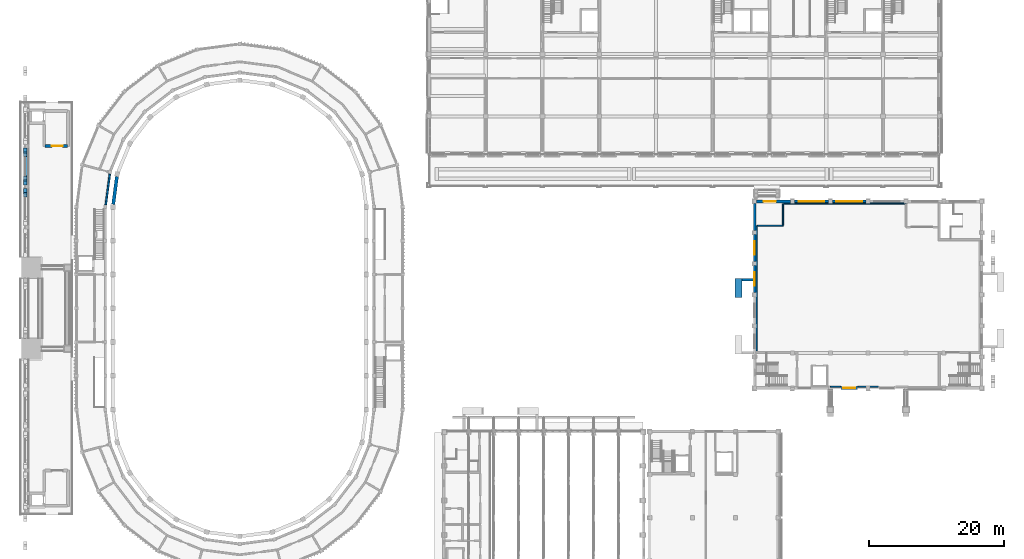
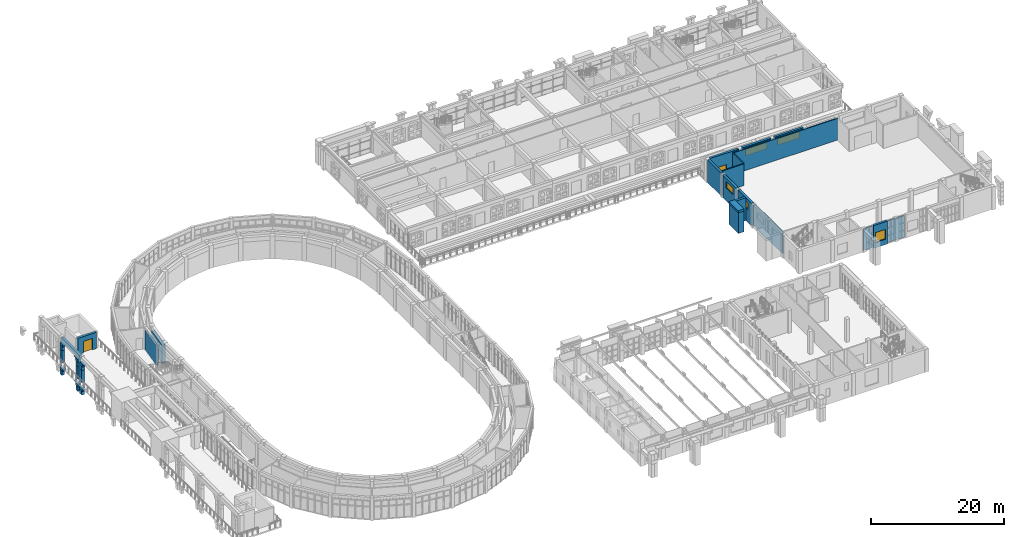
# One storey, part 61 of 99: 41 walls, 5 windows, 2 doors, 7 openings.
"""IFC4 building model written with IfcOpenShell, lengths in metres."""

from ifc_helpers import new_model, si_unit, direction, frame, frame_2d, origin, place, context, subcontext, project, spatial, rectangle, extrude, material, layer, layer_set, type_object, element, fill, save


model = new_model("IFC4")

# Units and contexts
model_context = context("Model", 3, precision=1e-05, world=origin(), true_north=direction((0.0, 1.0)))
body_context = subcontext(model_context, "Body", "Model", "MODEL_VIEW")
ifc_project = project(units=[si_unit("LENGTHUNIT", "METRE"), si_unit("AREAUNIT", "SQUARE_METRE"), si_unit("VOLUMEUNIT", "CUBIC_METRE"), si_unit("PLANEANGLEUNIT", "RADIAN"), si_unit("MASSUNIT", "GRAM", prefix="KILO")], contexts=[model_context])

# Site, building, storey
site_placement = place(None, origin())
site = spatial("IfcSite", under=ifc_project, at=site_placement, CompositionType="ELEMENT")
building_placement = place(site_placement, origin())
building = spatial("IfcBuilding", under=site, at=building_placement, Name="Wasatch Bagh Community Centre", CompositionType="ELEMENT")
storey_placement = place(building_placement, frame((0.0, 0.0, 4.199951171875)))
storey = spatial("IfcBuildingStorey", under=building, at=storey_placement, Name="L01", CompositionType="ELEMENT", Elevation=4.199951171875)

# Wall
ifc_material_1 = material(Name="Concrete C40", Category="concrete")
ifc_layer_1 = layer(ifc_material_1, 0.39990234375)
ifc_layer_set_1 = layer_set([ifc_layer_1], Name="Concrete C40")
wall_type_1 = type_object("IfcWallType", Name="CT-W1", PredefinedType="STANDARD", material=ifc_layer_set_1)
wall_1_placement = place(storey_placement, frame((4.5, 68.25, 3.550048828125), z_axis=(0.0, 0.0, 1.0), x_axis=(0.0, 1.0, 0.0)))
element("IfcWall", 1, at=wall_1_placement, inside=storey, type_object=wall_type_1, Name="CT-W1 terrace arcade spandrel band 5", PredefinedType="STANDARD", context=body_context, shape_type="SweptSolid", body=[
    extrude(rectangle(XDim=5.5, YDim=0.39990234375, at=frame_2d((2.75, 0.0))), origin(), (0.0, 0.0, 1.0), 0.64990234375),
])

# Wall, opening, door
ifc_layer_2 = layer(ifc_material_1, 0.39990234375)
ifc_layer_set_2 = layer_set([ifc_layer_2], Name="Concrete C40")
wall_type_2 = type_object("IfcWallType", Name="CT-W2", PredefinedType="SHEAR", material=ifc_layer_set_2)
wall_2_placement = place(storey_placement, frame((7.199951171875, 74.0, 0.0), z_axis=(0.0, 0.0, 1.0), x_axis=(1.0, 0.0, 0.0)))
wall_2 = element("IfcWall", 2, at=wall_2_placement, inside=storey, type_object=wall_type_2, Name="Terrace lobby N wall N", PredefinedType="SHEAR", context=body_context, shape_type="SweptSolid", body=[
    extrude(rectangle(XDim=3.300048828125, YDim=0.39990234375, at=frame_2d((1.64990234375, 0.0))), origin(), (0.0, 0.0, 1.0), 3.0),
])
opening_1_placement = place(wall_2_placement, frame((1.0, 0.0, 0.0)))
opening_1 = element("IfcOpeningElement", 3, at=opening_1_placement, cuts=wall_2, Name="Opening 1C-02", PredefinedType="OPENING", context=body_context, shape_type="SweptSolid", body=[
    extrude(rectangle(XDim=1.60009765625, YDim=2.10009765625, at=frame_2d((0.800048828125, 1.050048828125))), frame((0.0, 0.2099609375, 0.0), z_axis=(0.0, -1.0, 0.0), x_axis=(1.0, 0.0, 0.0)), (0.0, 0.0, 1.0), 0.419921875),
])
ifc_material_2 = material(Name="Timber door leaf in steel frame", Category="steel")
door_type_1 = type_object("IfcDoorType", Name="CT-D3", OperationType="DOUBLE_DOOR_SINGLE_SWING", PredefinedType="DOOR", material=ifc_material_2)
door_1_placement = place(opening_1_placement, origin())
door_1 = element("IfcDoor", 4, at=door_1_placement, inside=storey, type_object=door_type_1, Name="Terrace lobby N door", OperationType="SINGLE_SWING_LEFT", OverallHeight=2.10009765625, OverallWidth=1.60009765625, PredefinedType="DOOR", context=body_context, shape_type="SweptSolid", body=[
    extrude(rectangle(XDim=1.60009765625, YDim=2.10009765625, at=frame_2d((0.800048828125, 1.050048828125))), frame((0.0, 0.02490234375, 0.0), z_axis=(0.0, -1.0, 0.0), x_axis=(1.0, 0.0, 0.0)), (0.0, 0.0, 1.0), 0.050048828125),
])
fill(opening_1, door_1)

# Walls
ifc_layer_3 = layer(ifc_material_1, 0.449951171875)
ifc_layer_set_3 = layer_set([ifc_layer_3], Name="Concrete C40")
wall_type_3 = type_object("IfcWallType", Name="CT-W6", PredefinedType="STANDARD", material=ifc_layer_set_3)
wall_3_placement = place(storey_placement, frame((4.27490234375, 67.75, -2.300048828125), z_axis=(0.0, 0.0, 1.0), x_axis=(0.0, -1.0, 0.0)))
element("IfcWall", 5, at=wall_3_placement, inside=storey, type_object=wall_type_3, Name="CT-W6 colonnade arch spandrel", PredefinedType="STANDARD", context=body_context, shape_type="SweptSolid", body=[
    extrude(rectangle(XDim=0.60009765625, YDim=0.449951171875, at=frame_2d((0.300048828125, 0.0))), origin(), (0.0, 0.0, 1.0), 0.800048828125),
])
wall_4_placement = place(storey_placement, frame((4.27490234375, 67.75, -1.5), z_axis=(0.0, 0.0, 1.0), x_axis=(0.0, -1.0, 0.0)))
element("IfcWall", 6, at=wall_4_placement, inside=storey, type_object=wall_type_3, Name="CT-W6 colonnade arch spandrel", PredefinedType="STANDARD", context=body_context, shape_type="SweptSolid", body=[
    extrude(rectangle(XDim=0.831298828125, YDim=0.449951171875, at=frame_2d((0.41552734375, 0.0))), origin(), (0.0, 0.0, 1.0), 0.449951171875),
])
wall_5_placement = place(storey_placement, frame((4.27490234375, 67.75, -1.050048828125), z_axis=(0.0, 0.0, 1.0), x_axis=(0.0, -1.0, 0.0)))
element("IfcWall", 7, at=wall_5_placement, inside=storey, type_object=wall_type_3, Name="CT-W6 colonnade arch spandrel", PredefinedType="STANDARD", context=body_context, shape_type="SweptSolid", body=[
    extrude(rectangle(XDim=1.271728515625, YDim=0.449951171875, at=frame_2d((0.6357421875, 0.0))), origin(), (0.0, 0.0, 1.0), 0.10009765625),
])
for number, where, z_axis, x_axis, name in (
    (8, (4.27490234375, 68.25, -2.300048828125), (0.0, 0.0, 1.0), (0.0, 1.0, 0.0), "CT-W6 colonnade arch spandrel"),
    (9, (4.27490234375, 73.75, -2.300048828125), (0.0, 0.0, 1.0), (0.0, -1.0, 0.0), "CT-W6 colonnade arch spandrel"),
):
    element("IfcWall", number, at=place(storey_placement, frame(where, z_axis=z_axis, x_axis=x_axis)), inside=storey, type_object=wall_type_3, Name=name, PredefinedType="STANDARD", context=body_context, shape_type="SweptSolid", body=[
        extrude(rectangle(XDim=0.60009765625, YDim=0.449951171875, at=frame_2d((0.300048828125, 0.0))), origin(), (0.0, 0.0, 1.0), 0.800048828125),
    ])
for number, where, z_axis, x_axis, name in (
    (10, (4.27490234375, 68.25, -1.5), (0.0, 0.0, 1.0), (0.0, 1.0, 0.0), "CT-W6 colonnade arch spandrel"),
    (11, (4.27490234375, 73.75, -1.5), (0.0, 0.0, 1.0), (0.0, -1.0, 0.0), "CT-W6 colonnade arch spandrel"),
):
    element("IfcWall", number, at=place(storey_placement, frame(where, z_axis=z_axis, x_axis=x_axis)), inside=storey, type_object=wall_type_3, Name=name, PredefinedType="STANDARD", context=body_context, shape_type="SweptSolid", body=[
        extrude(rectangle(XDim=0.831298828125, YDim=0.449951171875, at=frame_2d((0.41552734375, 0.0))), origin(), (0.0, 0.0, 1.0), 0.449951171875),
    ])
for number, where, z_axis, x_axis, name in (
    (12, (4.27490234375, 68.25, -1.050048828125), (0.0, 0.0, 1.0), (0.0, 1.0, 0.0), "CT-W6 colonnade arch spandrel"),
    (13, (4.27490234375, 73.75, -1.050048828125), (0.0, 0.0, 1.0), (0.0, -1.0, 0.0), "CT-W6 colonnade arch spandrel"),
):
    element("IfcWall", number, at=place(storey_placement, frame(where, z_axis=z_axis, x_axis=x_axis)), inside=storey, type_object=wall_type_3, Name=name, PredefinedType="STANDARD", context=body_context, shape_type="SweptSolid", body=[
        extrude(rectangle(XDim=1.271728515625, YDim=0.449951171875, at=frame_2d((0.6357421875, 0.0))), origin(), (0.0, 0.0, 1.0), 0.10009765625),
    ])
wall_6_placement = place(storey_placement, frame((4.27490234375, 67.75, 0.0), z_axis=(0.0, 0.0, 1.0), x_axis=(0.0, -1.0, 0.0)))
element("IfcWall", 14, at=wall_6_placement, inside=storey, type_object=wall_type_3, Name="CT-W6 colonnade pier panel", PredefinedType="STANDARD", context=body_context, shape_type="SweptSolid", body=[
    extrude(rectangle(XDim=0.60009765625, YDim=0.449951171875, at=frame_2d((0.300048828125, 0.0))), origin(), (0.0, 0.0, 1.0), 2.199951171875),
])
wall_7_placement = place(storey_placement, frame((4.27490234375, 67.75, 2.199951171875), z_axis=(0.0, 0.0, 1.0), x_axis=(0.0, -1.0, 0.0)))
element("IfcWall", 15, at=wall_7_placement, inside=storey, type_object=wall_type_3, Name="CT-W6 colonnade arch spandrel", PredefinedType="STANDARD", context=body_context, shape_type="SweptSolid", body=[
    extrude(rectangle(XDim=0.60009765625, YDim=0.449951171875, at=frame_2d((0.300048828125, 0.0))), origin(), (0.0, 0.0, 1.0), 0.800048828125),
])
wall_8_placement = place(storey_placement, frame((4.27490234375, 67.75, 3.0), z_axis=(0.0, 0.0, 1.0), x_axis=(0.0, -1.0, 0.0)))
element("IfcWall", 16, at=wall_8_placement, inside=storey, type_object=wall_type_3, Name="CT-W6 colonnade arch spandrel", PredefinedType="STANDARD", context=body_context, shape_type="SweptSolid", body=[
    extrude(rectangle(XDim=0.837158203125, YDim=0.449951171875, at=frame_2d((0.41845703125, 0.0))), origin(), (0.0, 0.0, 1.0), 0.449951171875),
])
wall_9_placement = place(storey_placement, frame((4.27490234375, 67.75, 3.449951171875), z_axis=(0.0, 0.0, 1.0), x_axis=(0.0, -1.0, 0.0)))
element("IfcWall", 17, at=wall_9_placement, inside=storey, type_object=wall_type_3, Name="CT-W6 colonnade arch spandrel", PredefinedType="STANDARD", context=body_context, shape_type="SweptSolid", body=[
    extrude(rectangle(XDim=1.29833984375, YDim=0.449951171875, at=frame_2d((0.649169921875, 0.0))), origin(), (0.0, 0.0, 1.0), 0.050048828125),
])
for number, where, z_axis, x_axis, name in (
    (18, (4.27490234375, 68.25, 0.0), (0.0, 0.0, 1.0), (0.0, 1.0, 0.0), "CT-W6 colonnade pier panel"),
    (19, (4.27490234375, 73.75, 0.0), (0.0, 0.0, 1.0), (0.0, -1.0, 0.0), "CT-W6 colonnade pier panel"),
):
    element("IfcWall", number, at=place(storey_placement, frame(where, z_axis=z_axis, x_axis=x_axis)), inside=storey, type_object=wall_type_3, Name=name, PredefinedType="STANDARD", context=body_context, shape_type="SweptSolid", body=[
        extrude(rectangle(XDim=0.60009765625, YDim=0.449951171875, at=frame_2d((0.300048828125, 0.0))), origin(), (0.0, 0.0, 1.0), 2.199951171875),
    ])
for number, where, z_axis, x_axis, name in (
    (20, (4.27490234375, 68.25, 2.199951171875), (0.0, 0.0, 1.0), (0.0, 1.0, 0.0), "CT-W6 colonnade arch spandrel"),
    (21, (4.27490234375, 73.75, 2.199951171875), (0.0, 0.0, 1.0), (0.0, -1.0, 0.0), "CT-W6 colonnade arch spandrel"),
):
    element("IfcWall", number, at=place(storey_placement, frame(where, z_axis=z_axis, x_axis=x_axis)), inside=storey, type_object=wall_type_3, Name=name, PredefinedType="STANDARD", context=body_context, shape_type="SweptSolid", body=[
        extrude(rectangle(XDim=0.60009765625, YDim=0.449951171875, at=frame_2d((0.300048828125, 0.0))), origin(), (0.0, 0.0, 1.0), 0.800048828125),
    ])
for number, where, z_axis, x_axis, name in (
    (22, (4.27490234375, 68.25, 3.0), (0.0, 0.0, 1.0), (0.0, 1.0, 0.0), "CT-W6 colonnade arch spandrel"),
    (23, (4.27490234375, 73.75, 3.0), (0.0, 0.0, 1.0), (0.0, -1.0, 0.0), "CT-W6 colonnade arch spandrel"),
):
    element("IfcWall", number, at=place(storey_placement, frame(where, z_axis=z_axis, x_axis=x_axis)), inside=storey, type_object=wall_type_3, Name=name, PredefinedType="STANDARD", context=body_context, shape_type="SweptSolid", body=[
        extrude(rectangle(XDim=0.837158203125, YDim=0.449951171875, at=frame_2d((0.41845703125, 0.0))), origin(), (0.0, 0.0, 1.0), 0.449951171875),
    ])
for number, where, z_axis, x_axis, name in (
    (24, (4.27490234375, 68.25, 3.449951171875), (0.0, 0.0, 1.0), (0.0, 1.0, 0.0), "CT-W6 colonnade arch spandrel"),
    (25, (4.27490234375, 73.75, 3.449951171875), (0.0, 0.0, 1.0), (0.0, -1.0, 0.0), "CT-W6 colonnade arch spandrel"),
):
    element("IfcWall", number, at=place(storey_placement, frame(where, z_axis=z_axis, x_axis=x_axis)), inside=storey, type_object=wall_type_3, Name=name, PredefinedType="STANDARD", context=body_context, shape_type="SweptSolid", body=[
        extrude(rectangle(XDim=1.29833984375, YDim=0.449951171875, at=frame_2d((0.649169921875, 0.0))), origin(), (0.0, 0.0, 1.0), 0.050048828125),
    ])
ifc_layer_4 = layer(ifc_material_1, 0.25)
ifc_layer_set_4 = layer_set([ifc_layer_4], Name="Concrete C40")
wall_type_4 = type_object("IfcWallType", Name="Drum inner wall RC WALL 250", PredefinedType="SHEAR", material=ifc_layer_set_4)
wall_10_placement = place(storey_placement, frame((16.791259765625, 69.870849609375, 0.0), z_axis=(0.0, 0.0, 1.0), x_axis=(-0.130541551055, -0.991442839224, 0.0)))
element("IfcWall", 26, at=wall_10_placement, inside=storey, type_object=wall_type_4, Name="Inner wall 30", PredefinedType="SHEAR", context=body_context, shape_type="SweptSolid", body=[
    extrude(rectangle(XDim=4.643798828125, YDim=0.25, at=frame_2d((2.32177734375, 0.0))), origin(), (0.0, 0.0, 1.0), 3.60009765625),
])
ifc_layer_5 = layer(ifc_material_1, 0.5)
ifc_layer_set_5 = layer_set([ifc_layer_5], Name="Concrete C40")
wall_type_5 = type_object("IfcWallType", Name="MH wall RC WALL 500", PredefinedType="SHEAR", material=ifc_layer_set_5)
wall_11_placement = place(storey_placement, frame((17.83837890625, 69.4697265625, 0.0), z_axis=(0.0, 0.0, 1.0), x_axis=(-0.130483623501, -0.991450464722, 0.0)))
element("IfcWall", 27, at=wall_11_placement, inside=storey, type_object=wall_type_5, Name="Capsule wall 30", PredefinedType="SHEAR", context=body_context, shape_type="SweptSolid", body=[
    extrude(rectangle(XDim=4.121826171875, YDim=0.5, at=frame_2d((2.06103515625, 0.0))), origin(), (0.0, 0.0, 1.0), 3.400146484375),
])

# Wall, opening, window
ifc_layer_6 = layer(ifc_material_1, 0.39990234375)
ifc_layer_set_6 = layer_set([ifc_layer_6], Name="Concrete C40")
wall_type_6 = type_object("IfcWallType", Name="SH RC WALL 400 solidwall", PredefinedType="SOLIDWALL", material=ifc_layer_set_6)
wall_12_placement = place(storey_placement, frame((127.39990234375, 38.199951171875, 0.0), z_axis=(0.0, 0.0, 1.0), x_axis=(-1.0, 0.0, 0.0)))
wall_12 = element("IfcWall", 28, at=wall_12_placement, inside=storey, type_object=wall_type_6, Name="SH.wall.L01.03", PredefinedType="SOLIDWALL", context=body_context, shape_type="SweptSolid", body=[
    extrude(rectangle(XDim=2.39990234375, YDim=0.39990234375, at=frame_2d((1.199951171875, 0.0))), origin(), (0.0, 0.0, 1.0), 4.199951171875),
])
opening_2_placement = place(wall_12_placement, frame((0.300048828125, 0.0, 1.0)))
opening_2 = element("IfcOpeningElement", 29, at=opening_2_placement, cuts=wall_12, Name="Opening 1S-W01", PredefinedType="OPENING", context=body_context, shape_type="SweptSolid", body=[
    extrude(rectangle(XDim=1.800048828125, YDim=1.800048828125, at=frame_2d((0.89990234375, 0.89990234375))), frame((0.0, 0.2099609375, 0.0), z_axis=(0.0, -1.0, 0.0), x_axis=(1.0, 0.0, 0.0)), (0.0, 0.0, 1.0), 0.419921875),
])
ifc_material_3 = material(Name="Aluminium frame with double glazing", Category="aluminium")
window_type_1 = type_object("IfcWindowType", Name="SH window 1800x1800", PartitioningType="SINGLE_PANEL", PredefinedType="WINDOW", material=ifc_material_3)
window_1_placement = place(opening_2_placement, origin())
window_1 = element("IfcWindow", 30, at=window_1_placement, inside=storey, type_object=window_type_1, Name="SH.window.L01.1S-W01", OverallHeight=1.800048828125, OverallWidth=1.800048828125, PartitioningType="SINGLE_PANEL", PredefinedType="WINDOW", context=body_context, shape_type="SweptSolid", body=[
    extrude(rectangle(XDim=1.800048828125, YDim=1.800048828125, at=frame_2d((0.89990234375, 0.89990234375))), frame((0.0, 0.030029296875, 0.0), z_axis=(0.0, -1.0, 0.0), x_axis=(1.0, 0.0, 0.0)), (0.0, 0.0, 1.0), 0.06005859375),
])
fill(opening_2, window_1)

# Wall, opening, door
wall_13_placement = place(storey_placement, frame((112.5, 65.800048828125, 0.0), z_axis=(0.0, 0.0, 1.0), x_axis=(1.0, 0.0, 0.0)))
wall_13 = element("IfcWall", 31, at=wall_13_placement, inside=storey, type_object=wall_type_6, Name="SH.wall.L01.07", PredefinedType="SOLIDWALL", context=body_context, shape_type="SweptSolid", body=[
    extrude(rectangle(XDim=5.0, YDim=0.39990234375, at=frame_2d((2.5, 0.0))), origin(), (0.0, 0.0, 1.0), 4.199951171875),
])
opening_3_placement = place(wall_13_placement, frame((1.050048828125, 0.0, 0.0)))
opening_3 = element("IfcOpeningElement", 32, at=opening_3_placement, cuts=wall_13, Name="Opening 1S-01", PredefinedType="OPENING", context=body_context, shape_type="SweptSolid", body=[
    extrude(rectangle(XDim=1.800048828125, YDim=2.10009765625, at=frame_2d((0.89990234375, 1.050048828125))), frame((0.0, 0.2099609375, 0.0), z_axis=(0.0, -1.0, 0.0), x_axis=(1.0, 0.0, 0.0)), (0.0, 0.0, 1.0), 0.419921875),
])
ifc_material_4 = material(Name="Aluminium frame and glass", Category="aluminium")
door_type_2 = type_object("IfcDoorType", Name="SH door 1800x2100 double", OperationType="DOUBLE_DOOR_SINGLE_SWING", PredefinedType="DOOR", material=ifc_material_4)
door_2_placement = place(opening_3_placement, origin())
door_2 = element("IfcDoor", 33, at=door_2_placement, inside=storey, type_object=door_type_2, Name="SH.door.L01.1S-01", OperationType="DOUBLE_DOOR_SINGLE_SWING", OverallHeight=2.10009765625, OverallWidth=1.800048828125, PredefinedType="DOOR", context=body_context, shape_type="SweptSolid", body=[
    extrude(rectangle(XDim=1.800048828125, YDim=2.10009765625, at=frame_2d((0.89990234375, 1.050048828125))), frame((0.0, 0.02490234375, 0.0), z_axis=(0.0, -1.0, 0.0), x_axis=(1.0, 0.0, 0.0)), (0.0, 0.0, 1.0), 0.050048828125),
])
fill(opening_3, door_2)

# Wall, opening, window
wall_14_placement = place(storey_placement, frame((118.10009765625, 65.800048828125, 0.0), z_axis=(0.0, 0.0, 1.0), x_axis=(1.0, 0.0, 0.0)))
wall_14 = element("IfcWall", 34, at=wall_14_placement, inside=storey, type_object=wall_type_6, Name="SH.wall.L01.08", PredefinedType="SOLIDWALL", context=body_context, shape_type="SweptSolid", body=[
    extrude(rectangle(XDim=5.0, YDim=0.39990234375, at=frame_2d((2.5, 0.0))), origin(), (0.0, 0.0, 1.0), 4.199951171875),
])
opening_4_placement = place(wall_14_placement, frame((0.60009765625, 0.0, 2.39990234375)))
opening_4 = element("IfcOpeningElement", 35, at=opening_4_placement, cuts=wall_14, Name="Opening 1S-W14", PredefinedType="OPENING", context=body_context, shape_type="SweptSolid", body=[
    extrude(rectangle(XDim=3.800048828125, YDim=1.199951171875, at=frame_2d((1.89990234375, 0.60009765625))), frame((0.0, 0.2099609375, 0.0), z_axis=(0.0, -1.0, 0.0), x_axis=(1.0, 0.0, 0.0)), (0.0, 0.0, 1.0), 0.419921875),
])
window_type_2 = type_object("IfcWindowType", Name="SH window 3800x1200", PartitioningType="SINGLE_PANEL", PredefinedType="WINDOW", material=ifc_material_3)
window_2_placement = place(opening_4_placement, origin())
window_2 = element("IfcWindow", 36, at=window_2_placement, inside=storey, type_object=window_type_2, Name="SH.window.L01.1S-W14", OverallHeight=1.199951171875, OverallWidth=3.800048828125, PartitioningType="SINGLE_PANEL", PredefinedType="WINDOW", context=body_context, shape_type="SweptSolid", body=[
    extrude(rectangle(XDim=3.800048828125, YDim=1.199951171875, at=frame_2d((1.89990234375, 0.60009765625))), frame((0.0, 0.030029296875, 0.0), z_axis=(0.0, -1.0, 0.0), x_axis=(1.0, 0.0, 0.0)), (0.0, 0.0, 1.0), 0.06005859375),
])
fill(opening_4, window_2)

wall_15_placement = place(storey_placement, frame((123.699951171875, 65.800048828125, 0.0), z_axis=(0.0, 0.0, 1.0), x_axis=(1.0, 0.0, 0.0)))
wall_15 = element("IfcWall", 37, at=wall_15_placement, inside=storey, type_object=wall_type_6, Name="SH.wall.L01.09", PredefinedType="SOLIDWALL", context=body_context, shape_type="SweptSolid", body=[
    extrude(rectangle(XDim=5.0, YDim=0.39990234375, at=frame_2d((2.5, 0.0))), origin(), (0.0, 0.0, 1.0), 4.199951171875),
])
opening_5_placement = place(wall_15_placement, frame((0.60009765625, 0.0, 2.39990234375)))
opening_5 = element("IfcOpeningElement", 38, at=opening_5_placement, cuts=wall_15, Name="Opening 1S-W15", PredefinedType="OPENING", context=body_context, shape_type="SweptSolid", body=[
    extrude(rectangle(XDim=3.800048828125, YDim=1.199951171875, at=frame_2d((1.89990234375, 0.60009765625))), frame((0.0, 0.2099609375, 0.0), z_axis=(0.0, -1.0, 0.0), x_axis=(1.0, 0.0, 0.0)), (0.0, 0.0, 1.0), 0.419921875),
])
window_3_placement = place(opening_5_placement, origin())
window_3 = element("IfcWindow", 39, at=window_3_placement, inside=storey, type_object=window_type_2, Name="SH.window.L01.1S-W15", OverallHeight=1.199951171875, OverallWidth=3.800048828125, PartitioningType="SINGLE_PANEL", PredefinedType="WINDOW", context=body_context, shape_type="SweptSolid", body=[
    extrude(rectangle(XDim=3.800048828125, YDim=1.199951171875, at=frame_2d((1.89990234375, 0.60009765625))), frame((0.0, 0.030029296875, 0.0), z_axis=(0.0, -1.0, 0.0), x_axis=(1.0, 0.0, 0.0)), (0.0, 0.0, 1.0), 0.06005859375),
])
fill(opening_5, window_3)

wall_16_placement = place(storey_placement, frame((112.199951171875, 52.300048828125, 0.0), z_axis=(0.0, 0.0, 1.0), x_axis=(0.0, 1.0, 0.0)))
wall_16 = element("IfcWall", 40, at=wall_16_placement, inside=storey, type_object=wall_type_6, Name="SH.wall.L01.16", PredefinedType="SOLIDWALL", context=body_context, shape_type="SweptSolid", body=[
    extrude(rectangle(XDim=4.0, YDim=0.39990234375, at=frame_2d((2.0, 0.0))), origin(), (0.0, 0.0, 1.0), 4.199951171875),
])
opening_6_placement = place(wall_16_placement, frame((1.0, 0.0, 2.39990234375)))
opening_6 = element("IfcOpeningElement", 41, at=opening_6_placement, cuts=wall_16, Name="Opening 1S-W08", PredefinedType="OPENING", context=body_context, shape_type="SweptSolid", body=[
    extrude(rectangle(XDim=2.0, YDim=1.199951171875, at=frame_2d((1.0, 0.60009765625))), frame((0.0, 0.2099609375, 0.0), z_axis=(0.0, -1.0, 0.0), x_axis=(1.0, 0.0, 0.0)), (0.0, 0.0, 1.0), 0.419921875),
])
window_type_3 = type_object("IfcWindowType", Name="SH window 2000x1200", PartitioningType="SINGLE_PANEL", PredefinedType="WINDOW", material=ifc_material_3)
window_4_placement = place(opening_6_placement, origin())
window_4 = element("IfcWindow", 42, at=window_4_placement, inside=storey, type_object=window_type_3, Name="SH.window.L01.1S-W08", OverallHeight=1.199951171875, OverallWidth=2.0, PartitioningType="SINGLE_PANEL", PredefinedType="WINDOW", context=body_context, shape_type="SweptSolid", body=[
    extrude(rectangle(XDim=2.0, YDim=1.199951171875, at=frame_2d((1.0, 0.60009765625))), frame((0.0, 0.030029296875, 0.0), z_axis=(0.0, -1.0, 0.0), x_axis=(1.0, 0.0, 0.0)), (0.0, 0.0, 1.0), 0.06005859375),
])
fill(opening_6, window_4)

wall_17_placement = place(storey_placement, frame((112.199951171875, 56.89990234375, 0.0), z_axis=(0.0, 0.0, 1.0), x_axis=(0.0, 1.0, 0.0)))
wall_17 = element("IfcWall", 43, at=wall_17_placement, inside=storey, type_object=wall_type_6, Name="SH.wall.L01.17", PredefinedType="SOLIDWALL", context=body_context, shape_type="SweptSolid", body=[
    extrude(rectangle(XDim=4.0, YDim=0.39990234375, at=frame_2d((2.0, 0.0))), origin(), (0.0, 0.0, 1.0), 4.199951171875),
])
opening_7_placement = place(wall_17_placement, frame((1.0, 0.0, 2.39990234375)))
opening_7 = element("IfcOpeningElement", 44, at=opening_7_placement, cuts=wall_17, Name="Opening 1S-W09", PredefinedType="OPENING", context=body_context, shape_type="SweptSolid", body=[
    extrude(rectangle(XDim=2.0, YDim=1.199951171875, at=frame_2d((1.0, 0.60009765625))), frame((0.0, 0.2099609375, 0.0), z_axis=(0.0, -1.0, 0.0), x_axis=(1.0, 0.0, 0.0)), (0.0, 0.0, 1.0), 0.419921875),
])
window_5_placement = place(opening_7_placement, origin())
window_5 = element("IfcWindow", 45, at=window_5_placement, inside=storey, type_object=window_type_3, Name="SH.window.L01.1S-W09", OverallHeight=1.199951171875, OverallWidth=2.0, PartitioningType="SINGLE_PANEL", PredefinedType="WINDOW", context=body_context, shape_type="SweptSolid", body=[
    extrude(rectangle(XDim=2.0, YDim=1.199951171875, at=frame_2d((1.0, 0.60009765625))), frame((0.0, 0.030029296875, 0.0), z_axis=(0.0, -1.0, 0.0), x_axis=(1.0, 0.0, 0.0)), (0.0, 0.0, 1.0), 0.06005859375),
])
fill(opening_7, window_5)

# Walls
wall_18_placement = place(storey_placement, frame((112.199951171875, 61.5, 0.0), z_axis=(0.0, 0.0, 1.0), x_axis=(0.0, 1.0, 0.0)))
element("IfcWall", 46, at=wall_18_placement, inside=storey, type_object=wall_type_6, Name="SH.wall.L01.18", PredefinedType="SOLIDWALL", context=body_context, shape_type="SweptSolid", body=[
    extrude(rectangle(XDim=4.0, YDim=0.39990234375, at=frame_2d((2.0, 0.0))), origin(), (0.0, 0.0, 1.0), 4.199951171875),
])
ifc_material_5 = material(Name="Hollow block masonry, medium weight (ASTM Grade N)", Category="masonry")
ifc_layer_7 = layer(ifc_material_5, 0.18994140625)
ifc_layer_set_7 = layer_set([ifc_layer_7], Name="Hollow block masonry, medium weight (ASTM Grade N)")
wall_type_7 = type_object("IfcWallType", Name="SH partition 190", PredefinedType="PARTITIONING", material=ifc_layer_set_7)
wall_19_placement = place(storey_placement, frame((112.5, 43.679931640625, 0.0), z_axis=(0.0, 0.0, 1.0), x_axis=(0.0, 1.0, 0.0)))
element("IfcWall", 47, at=wall_19_placement, inside=storey, type_object=wall_type_7, Name="SH.part.L01.002", PredefinedType="PARTITIONING", context=body_context, shape_type="SweptSolid", body=[
    extrude(rectangle(XDim=18.52001953125, YDim=0.18994140625, at=frame_2d((9.260009765625, 0.0))), origin(), (0.0, 0.0, 1.0), 3.97998046875),
])
wall_20_placement = place(storey_placement, frame((112.594970703125, 62.199951171875, 0.0), z_axis=(0.0, 0.0, 1.0), x_axis=(1.0, 0.0, 0.0)))
element("IfcWall", 48, at=wall_20_placement, inside=storey, type_object=wall_type_7, Name="SH.part.L01.003", PredefinedType="PARTITIONING", context=body_context, shape_type="SweptSolid", body=[
    extrude(rectangle(XDim=3.804931640625, YDim=0.18994140625, at=frame_2d((1.90234375, 0.0))), origin(), (0.0, 0.0, 1.0), 3.97998046875),
])
wall_21_placement = place(storey_placement, frame((116.39990234375, 62.294921875, 0.0), z_axis=(0.0, 0.0, 1.0), x_axis=(0.0, 1.0, 0.0)))
element("IfcWall", 49, at=wall_21_placement, inside=storey, type_object=wall_type_7, Name="SH.part.L01.004", PredefinedType="PARTITIONING", context=body_context, shape_type="SweptSolid", body=[
    extrude(rectangle(XDim=3.205078125, YDim=0.18994140625, at=frame_2d((1.6025390625, 0.0))), origin(), (0.0, 0.0, 1.0), 3.97998046875),
])
wall_22_placement = place(storey_placement, frame((116.4951171875, 65.5, 0.0), z_axis=(0.0, 0.0, 1.0), x_axis=(1.0, 0.0, 0.0)))
element("IfcWall", 50, at=wall_22_placement, inside=storey, type_object=wall_type_7, Name="SH.part.L01.005", PredefinedType="PARTITIONING", context=body_context, shape_type="SweptSolid", body=[
    extrude(rectangle(XDim=18.10498046875, YDim=0.18994140625, at=frame_2d((9.052490234375, 0.0))), origin(), (0.0, 0.0, 1.0), 3.97998046875),
])
wall_23_placement = place(storey_placement, frame((124.919921875, 38.39990234375, 0.0), z_axis=(0.0, 0.0, 1.0), x_axis=(-1.0, 0.0, 0.0)))
element("IfcWall", 51, at=wall_23_placement, inside=storey, type_object=wall_type_7, Name="SH.part.L01.007", PredefinedType="PARTITIONING", context=body_context, shape_type="SweptSolid", body=[
    extrude(rectangle(XDim=1.5, YDim=0.18994140625, at=frame_2d((0.75, 0.0))), origin(), (0.0, 0.0, 1.0), 3.97998046875),
])
wall_24_placement = place(storey_placement, frame((130.52001953125, 38.39990234375, 0.0), z_axis=(0.0, 0.0, 1.0), x_axis=(-1.0, 0.0, 0.0)))
element("IfcWall", 52, at=wall_24_placement, inside=storey, type_object=wall_type_7, Name="SH.part.L01.008", PredefinedType="PARTITIONING", context=body_context, shape_type="SweptSolid", body=[
    extrude(rectangle(XDim=3.0400390625, YDim=0.18994140625, at=frame_2d((1.52001953125, 0.0))), origin(), (0.0, 0.0, 1.0), 3.97998046875),
])
ifc_layer_8 = layer(ifc_material_1, 1.0)
ifc_layer_set_8 = layer_set([ifc_layer_8], Name="Concrete C40")
wall_type_8 = type_object("IfcWallType", Name="SHPQ-W4", PredefinedType="STANDARD", material=ifc_layer_set_8)
wall_25_placement = place(storey_placement, frame((109.800048828125, 54.39990234375, 3.800048828125), z_axis=(0.0, 0.0, 1.0), x_axis=(0.0, -1.0, 0.0)))
element("IfcWall", 53, at=wall_25_placement, inside=storey, type_object=wall_type_8, Name="SHPQ-W4 iwan arch spandrel", PredefinedType="STANDARD", context=body_context, shape_type="SweptSolid", body=[
    extrude(rectangle(XDim=2.7998046875, YDim=1.0, at=frame_2d((1.39990234375, 0.0))), origin(), (0.0, 0.0, 1.0), 0.39990234375),
])
ifc_layer_9 = layer(ifc_material_1, 0.39990234375)
ifc_layer_set_9 = layer_set([ifc_layer_9], Name="Concrete C40")
wall_type_9 = type_object("IfcWallType", Name="SHPQ-W5", PredefinedType="STANDARD", material=ifc_layer_set_9)
wall_26_placement = place(storey_placement, frame((110.300048828125, 54.199951171875, 0.0), z_axis=(0.0, 0.0, 1.0), x_axis=(1.0, 0.0, 0.0)))
element("IfcWall", 54, at=wall_26_placement, inside=storey, type_object=wall_type_9, Name="SHPQ-W5 pishtaq return wall E", PredefinedType="STANDARD", context=body_context, shape_type="SweptSolid", body=[
    extrude(rectangle(XDim=1.699951171875, YDim=0.39990234375, at=frame_2d((0.85009765625, 0.0))), origin(), (0.0, 0.0, 1.0), 4.199951171875),
])
ifc_layer_10 = layer(ifc_material_1, 1.0)
ifc_layer_set_10 = layer_set([ifc_layer_10], Name="Concrete C40")
wall_type_10 = type_object("IfcWallType", Name="SHPQ-W6", PredefinedType="STANDARD", material=ifc_layer_set_10)
wall_27_placement = place(storey_placement, frame((109.800048828125, 54.39990234375, 0.0), z_axis=(0.0, 0.0, 1.0), x_axis=(0.0, -1.0, 0.0)))
element("IfcWall", 55, at=wall_27_placement, inside=storey, type_object=wall_type_10, Name="SHPQ-W6 iwan pier panel", PredefinedType="STANDARD", context=body_context, shape_type="SweptSolid", body=[
    extrude(rectangle(XDim=2.7998046875, YDim=1.0, at=frame_2d((1.39990234375, 0.0))), origin(), (0.0, 0.0, 1.0), 3.800048828125),
])

save(model, "model.ifc")
